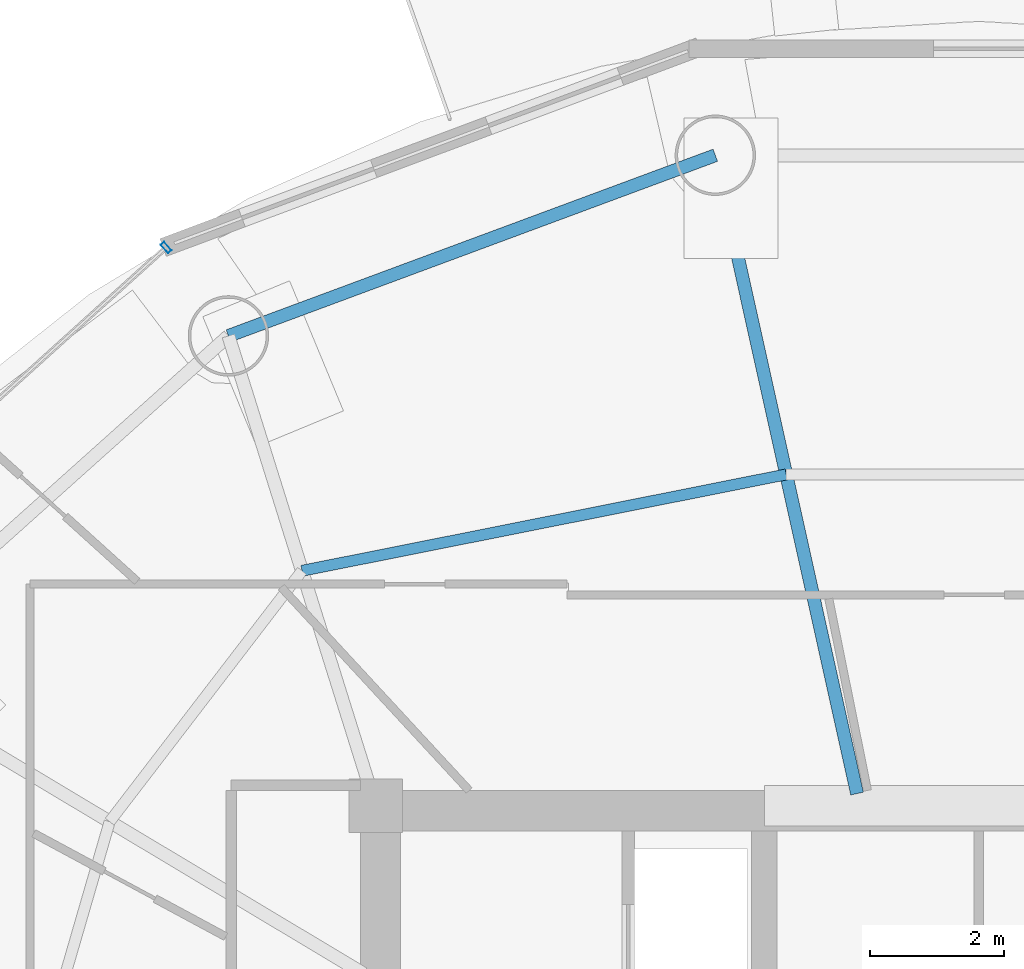
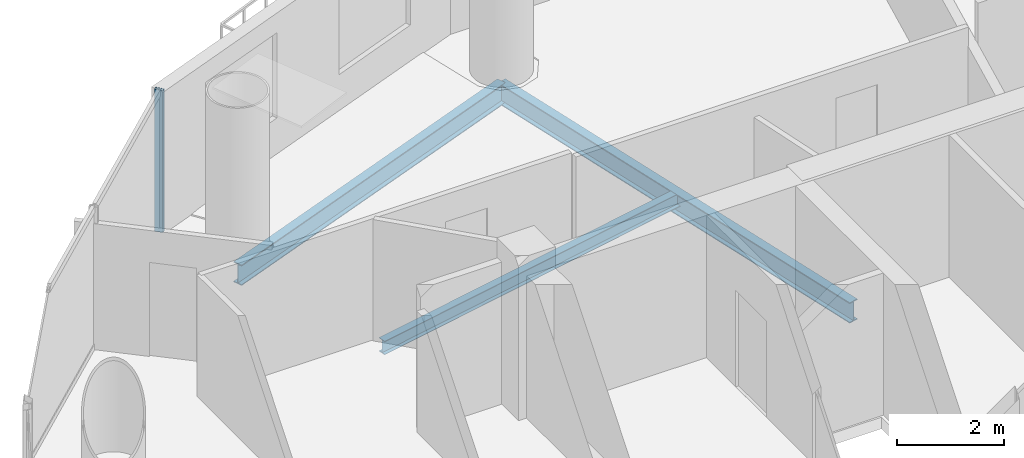
# One storey, part 15 of 26: 3 beams, 1 member, 1 element without a shape of its own.
"""IFC4 building model written with IfcOpenShell, lengths in metres."""

from ifc_helpers import new_model, si_unit, direction, frame, origin, origin_2d, place, context, subcontext, project, spatial, hollow_rectangle, i_section, extrude, source, transform, mapped, material, material_profile, profile_set, type_object, element, aggregate, save


model = new_model("IFC4")

# Units and contexts
model_context = context("Model", 3, precision=1e-05, world=origin(), true_north=direction((-0.2419218956, 0.970295726276)))
body_context = subcontext(model_context, "Body", "Model", "MODEL_VIEW")
ifc_project = project(units=[si_unit("LENGTHUNIT", "METRE"), si_unit("AREAUNIT", "SQUARE_METRE"), si_unit("VOLUMEUNIT", "CUBIC_METRE"), si_unit("PLANEANGLEUNIT", "RADIAN"), si_unit("MASSUNIT", "GRAM", prefix="KILO")], contexts=[model_context])

# Site, building, storey
site_placement = place(None, origin())
site = spatial("IfcSite", under=ifc_project, at=site_placement, CompositionType="ELEMENT")
building_placement = place(site_placement, origin())
building = spatial("IfcBuilding", under=site, at=building_placement, Name="Cobrevalo Terracotta Tower", CompositionType="ELEMENT")
storey_placement = place(building_placement, frame((0.0, 0.0, 239.300048828125)))
storey = spatial("IfcBuildingStorey", under=building, at=storey_placement, Name="L63", CompositionType="ELEMENT", Elevation=239.300048828125)

# Beams
ifc_material_1 = material(Name="Steel S355", Category="steel")
ifc_material_profile_1 = material_profile(ifc_material_1, i_section(OverallWidth=0.194091796875, OverallDepth=0.468994140625, WebThickness=0.011474609375, FlangeThickness=0.0205078125, at=origin_2d()), Name="W 460x106")
ifc_profile_set_1 = profile_set([ifc_material_profile_1], Name="Steel S355")
beam_type_1 = type_object("IfcBeamType", Name="Structural Beam W 460x106 (Steel S355)", PredefinedType="BEAM", material=ifc_profile_set_1)
beam_1_placement = place(storey_placement, frame((34.06884765625, 44.503173828125, -0.49951171875), z_axis=(0.216782061165, -0.976220025382, 0.0), x_axis=(0.976220025382, 0.216782061165, 0.0)))
element("IfcBeam", 1, at=beam_1_placement, inside=storey, type_object=beam_type_1, Name="L63 radial floor girder 05", PredefinedType="BEAM", context=body_context, shape_type="SweptSolid", body=[
    extrude(i_section(OverallWidth=0.194091796875, OverallDepth=0.468994140625, WebThickness=0.011474609375, FlangeThickness=0.0205078125, at=origin_2d()), origin(), (0.0, 0.0, 1.0), 9.755126953125),
])
ifc_material_profile_2 = material_profile(ifc_material_1, i_section(OverallWidth=0.1650390625, OverallDepth=0.31005859375, WebThickness=0.005859375, FlangeThickness=0.009765625, at=origin_2d()), Name="W 310x38.7")
ifc_profile_set_2 = profile_set([ifc_material_profile_2], Name="Steel S355")
beam_type_2 = type_object("IfcBeamType", Name="Structural Joist W 310x38.7 (Steel S355)", PredefinedType="JOIST", material=ifc_profile_set_2)
beam_2_placement = place(storey_placement, frame((35.126220703125, 39.74169921875, -0.420166015625), z_axis=(-0.980762562197, -0.195204499418, 0.0), x_axis=(0.195204499418, -0.980762562197, 0.0)))
element("IfcBeam", 2, at=beam_2_placement, inside=storey, type_object=beam_type_2, Name="L63 circumferential secondary floor joist 05", PredefinedType="JOIST", context=body_context, shape_type="SweptSolid", body=[
    extrude(i_section(OverallWidth=0.1650390625, OverallDepth=0.31005859375, WebThickness=0.005859375, FlangeThickness=0.009765625, at=origin_2d()), origin(), (0.0, 0.0, 1.0), 7.365234375),
])
ifc_material_profile_3 = material_profile(ifc_material_1, i_section(OverallWidth=0.194091796875, OverallDepth=0.468994140625, WebThickness=0.011474609375, FlangeThickness=0.0205078125, at=origin_2d()), Name="W 460x106")
ifc_profile_set_3 = profile_set([ifc_material_profile_3], Name="Steel S355")
beam_type_3 = type_object("IfcBeamType", Name="Structural Spandrel W 460x106 (Steel S355)", PredefinedType="SPANDREL", material=ifc_profile_set_3)
beam_3_placement = place(storey_placement, frame((34.06884765625, 44.503173828125, -0.49951171875), z_axis=(-0.937545996665, -0.347861328892, 0.0), x_axis=(0.347861328892, -0.937545996665, 0.0)))
element("IfcBeam", 3, at=beam_3_placement, inside=storey, type_object=beam_type_3, Name="L63 perimeter ring spandrel 05", PredefinedType="SPANDREL", context=body_context, shape_type="SweptSolid", body=[
    extrude(i_section(OverallWidth=0.194091796875, OverallDepth=0.468994140625, WebThickness=0.011474609375, FlangeThickness=0.0205078125, at=origin_2d()), origin(), (0.0, 0.0, 1.0), 7.74755859375),
])

# Curtain wall, member
ifc_material_2 = material(Name="Anodized aluminium", Category="aluminium")
curtain_wall_type = type_object("IfcCurtainWallType", Name="Mid-tower high-wind unitised curtain wall CW-U2", PredefinedType="NOTDEFINED", material=ifc_material_2)
curtain_wall_placement = place(storey_placement, origin())
curtain_wall = element("IfcCurtainWall", 4, at=curtain_wall_placement, inside=storey, type_object=curtain_wall_type, Name="L63 curtain wall CW-L63-S06", PredefinedType="NOTDEFINED")
ifc_material_profile_4 = material_profile(ifc_material_2, hollow_rectangle(XDim=0.070068359375, YDim=0.169921875, WallThickness=0.00439453125, at=origin_2d()), Name="CWM 70x170")
ifc_profile_set_4 = profile_set([ifc_material_profile_4], Name="Anodized aluminium")
member_type = type_object("IfcMemberType", Name="Upper tower unitised mullion 70x170", PredefinedType="MULLION", material=ifc_profile_set_4)
shared_shape = source(origin(), body_context, "Body", "SweptSolid", [
    extrude(hollow_rectangle(XDim=0.070068359375, YDim=0.169921875, WallThickness=0.00439453125, at=origin_2d()), origin(), (0.0, 0.0, 1.0), 3.25),
])
member_placement = place(storey_placement, frame((25.87548828125, 43.128173828125, 0.0), z_axis=(0.0, 0.0, 1.0), x_axis=(-0.741987542015, -0.670413668935, 0.0)))
member = element("IfcMember", 5, at=member_placement, type_object=member_type, Name="CW-L63-S06 vertical mullion 01", PredefinedType="MULLION", context=body_context, shape_type="MappedRepresentation", body=[
    mapped(shared_shape, transform((0.0, 0.0, 0.0), scale=1.0)),
])
aggregate(curtain_wall, [member])

save(model, "model.ifc")
